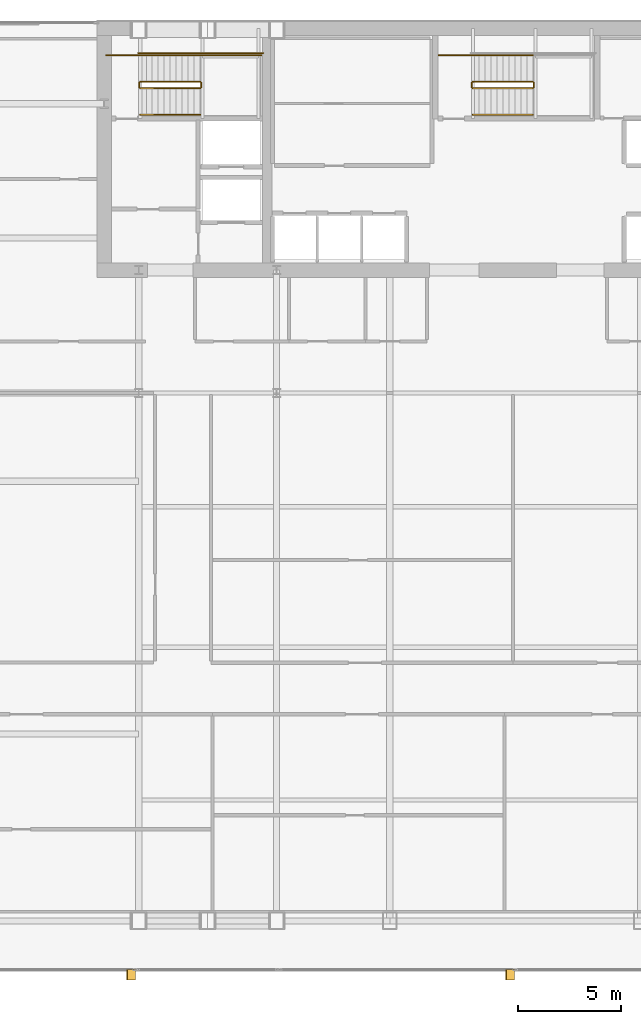
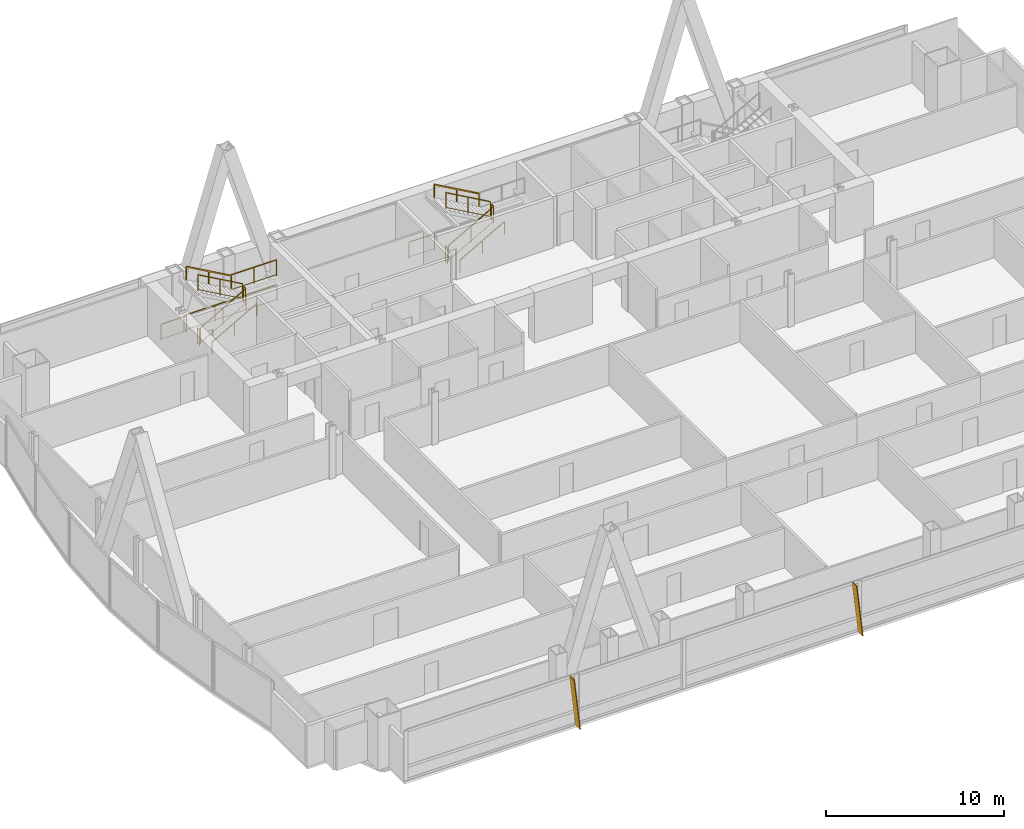
# One storey, part 31 of 33: 16 railings, 2 shading devices.
"""IFC4 building model written with IfcOpenShell, lengths in metres."""

from ifc_helpers import new_model, si_unit, direction, frame, origin, origin_2d, place, context, subcontext, project, spatial, polyline, rectangle, outline, extrude, material, layer, layer_set, type_object, element, save


model = new_model("IFC4")

# Units and contexts
model_context = context("Model", 3, precision=1e-05, world=origin(), true_north=direction((0.0, 1.0)))
body_context = subcontext(model_context, "Body", "Model", "MODEL_VIEW")
ifc_project = project(units=[si_unit("LENGTHUNIT", "METRE"), si_unit("AREAUNIT", "SQUARE_METRE"), si_unit("VOLUMEUNIT", "CUBIC_METRE"), si_unit("PLANEANGLEUNIT", "RADIAN"), si_unit("MASSUNIT", "GRAM", prefix="KILO")], contexts=[model_context])

# Site, building, storey
site_placement = place(None, origin())
site = spatial("IfcSite", under=ifc_project, at=site_placement, CompositionType="ELEMENT")
building_placement = place(site_placement, origin())
building = spatial("IfcBuilding", under=site, at=building_placement, Name="Khoronbel Lancet Exchange", CompositionType="ELEMENT")
storey_placement = place(building_placement, frame((0.0, 0.0, 118.199951171875)))
storey = spatial("IfcBuildingStorey", under=building, at=storey_placement, Name="L28", CompositionType="ELEMENT", Elevation=118.199951171875)

# Railings
ifc_material_1 = material(Name="Painted Steel Balustrade", Category="steel")
railing_type_1 = type_object("IfcRailingType", Name="RL-STG110", PredefinedType="GUARDRAIL", material=ifc_material_1)
railing_1_placement = place(storey_placement, frame((18.300048828125, 50.449951171875, 0.16357421875)))
element("IfcRailing", 1, at=railing_1_placement, inside=storey, type_object=railing_type_1, Name="L28 ST1 stair guard 1", PredefinedType="GUARDRAIL", context=body_context, shape_type="SweptSolid", body=[
    extrude(rectangle(XDim=0.048095703125, YDim=0.048095703125, at=origin_2d()), frame((0.0, 0.0, 1.09619140625), z_axis=(0.870897200241, 0.0, 0.491465224214), x_axis=(0.0, 1.0, 0.0)), (0.0, 0.0, 1.0), 3.329833984375),
    extrude(rectangle(XDim=0.02392578125, YDim=0.02392578125, at=origin_2d()), frame((0.0, 0.0, 0.080078125), z_axis=(0.870897200241, 0.0, 0.491465224214), x_axis=(0.0, 1.0, 0.0)), (0.0, 0.0, 1.0), 3.329833984375),
    extrude(rectangle(XDim=0.0419921875, YDim=0.0419921875, at=origin_2d()), origin(), (0.0, 0.0, 1.0), 1.072021484375),
    extrude(rectangle(XDim=0.0419921875, YDim=0.0419921875, at=origin_2d()), frame((1.449951171875, 0.0, 0.818359375)), (0.0, 0.0, 1.0), 1.072021484375),
    extrude(rectangle(XDim=0.0419921875, YDim=0.0419921875, at=origin_2d()), frame((2.89990234375, 0.0, 1.636474609375)), (0.0, 0.0, 1.0), 1.072021484375),
])
railing_2_placement = place(storey_placement, frame((21.25, 50.5, 1.800048828125)))
element("IfcRailing", 2, at=railing_2_placement, inside=storey, type_object=railing_type_1, Name="L28 ST1 stair guard 2", PredefinedType="GUARDRAIL", context=body_context, shape_type="SweptSolid", body=[
    extrude(rectangle(XDim=0.048095703125, YDim=0.048095703125, at=origin_2d()), frame((0.0, 0.0, 1.09619140625), z_axis=(0.0, 1.0, 0.0), x_axis=(-1.0, 0.0, 0.0)), (0.0, 0.0, 1.0), 0.219970703125),
    extrude(rectangle(XDim=0.02392578125, YDim=0.02392578125, at=origin_2d()), frame((0.0, 0.0, 0.080078125), z_axis=(0.0, 1.0, 0.0), x_axis=(-1.0, 0.0, 0.0)), (0.0, 0.0, 1.0), 0.219970703125),
    extrude(rectangle(XDim=0.0419921875, YDim=0.0419921875, at=origin_2d()), origin(), (0.0, 0.0, 1.0), 1.072021484375),
    extrude(rectangle(XDim=0.0419921875, YDim=0.0419921875, at=origin_2d()), frame((0.0, 0.219970703125, 0.0)), (0.0, 0.0, 1.0), 1.072021484375),
])
railing_3_placement = place(storey_placement, frame((21.199951171875, 52.050048828125, 1.800048828125)))
element("IfcRailing", 3, at=railing_3_placement, inside=storey, type_object=railing_type_1, Name="L28 ST1 stair guard 3", PredefinedType="GUARDRAIL", context=body_context, shape_type="SweptSolid", body=[
    extrude(rectangle(XDim=0.048095703125, YDim=0.048095703125, at=origin_2d()), frame((0.0, 0.0, 1.09619140625), z_axis=(1.0, 0.0, 0.0), x_axis=(0.0, 1.0, 0.0)), (0.0, 0.0, 1.0), 2.949951171875),
    extrude(rectangle(XDim=0.02392578125, YDim=0.02392578125, at=origin_2d()), frame((0.0, 0.0, 0.080078125), z_axis=(1.0, 0.0, 0.0), x_axis=(0.0, 1.0, 0.0)), (0.0, 0.0, 1.0), 2.949951171875),
    extrude(rectangle(XDim=0.0419921875, YDim=0.0419921875, at=origin_2d()), origin(), (0.0, 0.0, 1.0), 1.072021484375),
    extrude(rectangle(XDim=0.0419921875, YDim=0.0419921875, at=origin_2d()), frame((1.47509765625, 0.0, 0.0)), (0.0, 0.0, 1.0), 1.072021484375),
    extrude(rectangle(XDim=0.0419921875, YDim=0.0419921875, at=origin_2d()), frame((2.949951171875, 0.0, 0.0)), (0.0, 0.0, 1.0), 1.072021484375),
])
railing_4_placement = place(storey_placement, frame((21.199951171875, 50.77001953125, 1.963623046875)))
element("IfcRailing", 4, at=railing_4_placement, inside=storey, type_object=railing_type_1, Name="L28 ST1 stair guard 4", PredefinedType="GUARDRAIL", context=body_context, shape_type="SweptSolid", body=[
    extrude(rectangle(XDim=0.048095703125, YDim=0.048095703125, at=origin_2d()), frame((0.0, 0.0, 1.09619140625), z_axis=(-0.870897200241, 0.0, 0.491465224214), x_axis=(0.0, -1.0, 0.0)), (0.0, 0.0, 1.0), 3.329833984375),
    extrude(rectangle(XDim=0.02392578125, YDim=0.02392578125, at=origin_2d()), frame((0.0, 0.0, 0.080078125), z_axis=(-0.870897200241, 0.0, 0.491465224214), x_axis=(0.0, -1.0, 0.0)), (0.0, 0.0, 1.0), 3.329833984375),
    extrude(rectangle(XDim=0.0419921875, YDim=0.0419921875, at=origin_2d()), origin(), (0.0, 0.0, 1.0), 1.072021484375),
    extrude(rectangle(XDim=0.0419921875, YDim=0.0419921875, at=origin_2d()), frame((-1.449951171875, 0.0, 0.818359375)), (0.0, 0.0, 1.0), 1.072021484375),
    extrude(rectangle(XDim=0.0419921875, YDim=0.0419921875, at=origin_2d()), frame((-2.89990234375, 0.0, 1.636474609375)), (0.0, 0.0, 1.0), 1.072021484375),
])
railing_5_placement = place(storey_placement, frame((18.25, 50.5, 0.0)))
element("IfcRailing", 5, at=railing_5_placement, inside=storey, type_object=railing_type_1, Name="L28 ST1 stair guard 5", PredefinedType="GUARDRAIL", context=body_context, shape_type="SweptSolid", body=[
    extrude(rectangle(XDim=0.048095703125, YDim=0.048095703125, at=origin_2d()), frame((0.0, 0.0, 1.09619140625), z_axis=(0.0, 1.0, 0.0), x_axis=(-1.0, 0.0, 0.0)), (0.0, 0.0, 1.0), 0.219970703125),
    extrude(rectangle(XDim=0.02392578125, YDim=0.02392578125, at=origin_2d()), frame((0.0, 0.0, 0.080078125), z_axis=(0.0, 1.0, 0.0), x_axis=(-1.0, 0.0, 0.0)), (0.0, 0.0, 1.0), 0.219970703125),
    extrude(rectangle(XDim=0.0419921875, YDim=0.0419921875, at=origin_2d()), origin(), (0.0, 0.0, 1.0), 1.072021484375),
    extrude(rectangle(XDim=0.0419921875, YDim=0.0419921875, at=origin_2d()), frame((0.0, 0.219970703125, 0.0)), (0.0, 0.0, 1.0), 1.072021484375),
])
railing_6_placement = place(storey_placement, frame((16.64990234375, 52.050048828125, 0.0)))
element("IfcRailing", 6, at=railing_6_placement, inside=storey, type_object=railing_type_1, Name="L28 ST1 stair guard 6", PredefinedType="GUARDRAIL", context=body_context, shape_type="SweptSolid", body=[
    extrude(rectangle(XDim=0.048095703125, YDim=0.048095703125, at=origin_2d()), frame((0.0, 0.0, 1.09619140625), z_axis=(1.0, 0.0, 0.0), x_axis=(0.0, 1.0, 0.0)), (0.0, 0.0, 1.0), 1.650146484375),
    extrude(rectangle(XDim=0.02392578125, YDim=0.02392578125, at=origin_2d()), frame((0.0, 0.0, 0.080078125), z_axis=(1.0, 0.0, 0.0), x_axis=(0.0, 1.0, 0.0)), (0.0, 0.0, 1.0), 1.650146484375),
    extrude(rectangle(XDim=0.0419921875, YDim=0.0419921875, at=origin_2d()), origin(), (0.0, 0.0, 1.0), 1.072021484375),
    extrude(rectangle(XDim=0.0419921875, YDim=0.0419921875, at=origin_2d()), frame((1.650146484375, 0.0, 0.0)), (0.0, 0.0, 1.0), 1.072021484375),
])
railing_7_placement = place(storey_placement, frame((18.199951171875, 52.14990234375, 0.0)))
element("IfcRailing", 7, at=railing_7_placement, inside=storey, type_object=railing_type_1, Name="L28 ST1 stair guard 7", PredefinedType="GUARDRAIL", context=body_context, shape_type="SweptSolid", body=[
    extrude(rectangle(XDim=0.048095703125, YDim=0.048095703125, at=origin_2d()), frame((0.0, 0.0, 1.09619140625), z_axis=(1.0, 0.0, 0.0), x_axis=(0.0, 1.0, 0.0)), (0.0, 0.0, 1.0), 6.050048828125),
    extrude(rectangle(XDim=0.02392578125, YDim=0.02392578125, at=origin_2d()), frame((0.0, 0.0, 0.080078125), z_axis=(1.0, 0.0, 0.0), x_axis=(0.0, 1.0, 0.0)), (0.0, 0.0, 1.0), 6.050048828125),
    extrude(rectangle(XDim=0.0419921875, YDim=0.0419921875, at=origin_2d()), origin(), (0.0, 0.0, 1.0), 1.072021484375),
    extrude(rectangle(XDim=0.0419921875, YDim=0.0419921875, at=origin_2d()), frame((2.0166015625, 0.0, 0.0)), (0.0, 0.0, 1.0), 1.072021484375),
    extrude(rectangle(XDim=0.0419921875, YDim=0.0419921875, at=origin_2d()), frame((4.033447265625, 0.0, 0.0)), (0.0, 0.0, 1.0), 1.072021484375),
    extrude(rectangle(XDim=0.0419921875, YDim=0.0419921875, at=origin_2d()), frame((6.050048828125, 0.0, 0.0)), (0.0, 0.0, 1.0), 1.072021484375),
])
railing_8_placement = place(storey_placement, frame((34.39990234375, 50.449951171875, 0.16357421875)))
element("IfcRailing", 8, at=railing_8_placement, inside=storey, type_object=railing_type_1, Name="L28 ST3 stair guard 1", PredefinedType="GUARDRAIL", context=body_context, shape_type="SweptSolid", body=[
    extrude(rectangle(XDim=0.048095703125, YDim=0.048095703125, at=origin_2d()), frame((0.0, 0.0, 1.09619140625), z_axis=(0.870914908162, 0.0, 0.491433843708), x_axis=(0.0, 1.0, 0.0)), (0.0, 0.0, 1.0), 3.330078125),
    extrude(rectangle(XDim=0.02392578125, YDim=0.02392578125, at=origin_2d()), frame((0.0, 0.0, 0.080078125), z_axis=(0.870914908162, 0.0, 0.491433843708), x_axis=(0.0, 1.0, 0.0)), (0.0, 0.0, 1.0), 3.330078125),
    extrude(rectangle(XDim=0.0419921875, YDim=0.0419921875, at=origin_2d()), origin(), (0.0, 0.0, 1.0), 1.072021484375),
    extrude(rectangle(XDim=0.0419921875, YDim=0.0419921875, at=origin_2d()), frame((1.4501953125, 0.0, 0.818359375)), (0.0, 0.0, 1.0), 1.072021484375),
    extrude(rectangle(XDim=0.0419921875, YDim=0.0419921875, at=origin_2d()), frame((2.900146484375, 0.0, 1.636474609375)), (0.0, 0.0, 1.0), 1.072021484375),
])
railing_9_placement = place(storey_placement, frame((37.35009765625, 50.5, 1.800048828125)))
element("IfcRailing", 9, at=railing_9_placement, inside=storey, type_object=railing_type_1, Name="L28 ST3 stair guard 2", PredefinedType="GUARDRAIL", context=body_context, shape_type="SweptSolid", body=[
    extrude(rectangle(XDim=0.048095703125, YDim=0.048095703125, at=origin_2d()), frame((0.0, 0.0, 1.09619140625), z_axis=(0.0, 1.0, 0.0), x_axis=(-1.0, 0.0, 0.0)), (0.0, 0.0, 1.0), 0.219970703125),
    extrude(rectangle(XDim=0.02392578125, YDim=0.02392578125, at=origin_2d()), frame((0.0, 0.0, 0.080078125), z_axis=(0.0, 1.0, 0.0), x_axis=(-1.0, 0.0, 0.0)), (0.0, 0.0, 1.0), 0.219970703125),
    extrude(rectangle(XDim=0.0419921875, YDim=0.0419921875, at=origin_2d()), origin(), (0.0, 0.0, 1.0), 1.072021484375),
    extrude(rectangle(XDim=0.0419921875, YDim=0.0419921875, at=origin_2d()), frame((0.0, 0.219970703125, 0.0)), (0.0, 0.0, 1.0), 1.072021484375),
])
railing_10_placement = place(storey_placement, frame((37.300048828125, 50.77001953125, 1.963623046875)))
element("IfcRailing", 10, at=railing_10_placement, inside=storey, type_object=railing_type_1, Name="L28 ST3 stair guard 4", PredefinedType="GUARDRAIL", context=body_context, shape_type="SweptSolid", body=[
    extrude(rectangle(XDim=0.048095703125, YDim=0.048095703125, at=origin_2d()), frame((0.0, 0.0, 1.09619140625), z_axis=(-0.870914908162, 0.0, 0.491433843708), x_axis=(0.0, -1.0, 0.0)), (0.0, 0.0, 1.0), 3.330078125),
    extrude(rectangle(XDim=0.02392578125, YDim=0.02392578125, at=origin_2d()), frame((0.0, 0.0, 0.080078125), z_axis=(-0.870914908162, 0.0, 0.491433843708), x_axis=(0.0, -1.0, 0.0)), (0.0, 0.0, 1.0), 3.330078125),
    extrude(rectangle(XDim=0.0419921875, YDim=0.0419921875, at=origin_2d()), origin(), (0.0, 0.0, 1.0), 1.072021484375),
    extrude(rectangle(XDim=0.0419921875, YDim=0.0419921875, at=origin_2d()), frame((-1.4501953125, 0.0, 0.818359375)), (0.0, 0.0, 1.0), 1.072021484375),
    extrude(rectangle(XDim=0.0419921875, YDim=0.0419921875, at=origin_2d()), frame((-2.900146484375, 0.0, 1.636474609375)), (0.0, 0.0, 1.0), 1.072021484375),
])
railing_11_placement = place(storey_placement, frame((34.35009765625, 50.5, 0.0)))
element("IfcRailing", 11, at=railing_11_placement, inside=storey, type_object=railing_type_1, Name="L28 ST3 stair guard 5", PredefinedType="GUARDRAIL", context=body_context, shape_type="SweptSolid", body=[
    extrude(rectangle(XDim=0.048095703125, YDim=0.048095703125, at=origin_2d()), frame((0.0, 0.0, 1.09619140625), z_axis=(0.0, 1.0, 0.0), x_axis=(-1.0, 0.0, 0.0)), (0.0, 0.0, 1.0), 0.219970703125),
    extrude(rectangle(XDim=0.02392578125, YDim=0.02392578125, at=origin_2d()), frame((0.0, 0.0, 0.080078125), z_axis=(0.0, 1.0, 0.0), x_axis=(-1.0, 0.0, 0.0)), (0.0, 0.0, 1.0), 0.219970703125),
    extrude(rectangle(XDim=0.0419921875, YDim=0.0419921875, at=origin_2d()), origin(), (0.0, 0.0, 1.0), 1.072021484375),
    extrude(rectangle(XDim=0.0419921875, YDim=0.0419921875, at=origin_2d()), frame((0.0, 0.219970703125, 0.0)), (0.0, 0.0, 1.0), 1.072021484375),
])
railing_12_placement = place(storey_placement, frame((32.75, 52.050048828125, 0.0)))
element("IfcRailing", 12, at=railing_12_placement, inside=storey, type_object=railing_type_1, Name="L28 ST3 stair guard 6", PredefinedType="GUARDRAIL", context=body_context, shape_type="SweptSolid", body=[
    extrude(rectangle(XDim=0.048095703125, YDim=0.048095703125, at=origin_2d()), frame((0.0, 0.0, 1.09619140625), z_axis=(1.0, 0.0, 0.0), x_axis=(0.0, 1.0, 0.0)), (0.0, 0.0, 1.0), 1.64990234375),
    extrude(rectangle(XDim=0.02392578125, YDim=0.02392578125, at=origin_2d()), frame((0.0, 0.0, 0.080078125), z_axis=(1.0, 0.0, 0.0), x_axis=(0.0, 1.0, 0.0)), (0.0, 0.0, 1.0), 1.64990234375),
    extrude(rectangle(XDim=0.0419921875, YDim=0.0419921875, at=origin_2d()), origin(), (0.0, 0.0, 1.0), 1.072021484375),
    extrude(rectangle(XDim=0.0419921875, YDim=0.0419921875, at=origin_2d()), frame((1.64990234375, 0.0, 0.0)), (0.0, 0.0, 1.0), 1.072021484375),
])
ifc_material_2 = material(Name="Brushed Stainless Steel 316", Category="steel")
railing_type_2 = type_object("IfcRailingType", Name="RL-STH92", PredefinedType="HANDRAIL", material=ifc_material_2)
railing_13_placement = place(storey_placement, frame((18.300048828125, 49.169921875, 0.16357421875)))
element("IfcRailing", 13, at=railing_13_placement, inside=storey, type_object=railing_type_2, Name="L28 ST1 stair handrail 1", PredefinedType="HANDRAIL", context=body_context, shape_type="SweptSolid", body=[
    extrude(rectangle(XDim=0.048095703125, YDim=0.048095703125, at=origin_2d()), frame((0.0, 0.0, 0.8759765625), z_axis=(0.870897200241, 0.0, 0.491465224214), x_axis=(0.0, 1.0, 0.0)), (0.0, 0.0, 1.0), 3.329833984375),
    extrude(rectangle(XDim=0.0419921875, YDim=0.0419921875, at=origin_2d()), origin(), (0.0, 0.0, 1.0), 0.851806640625),
    extrude(rectangle(XDim=0.0419921875, YDim=0.0419921875, at=origin_2d()), frame((1.449951171875, 0.0, 0.818359375)), (0.0, 0.0, 1.0), 0.851806640625),
    extrude(rectangle(XDim=0.0419921875, YDim=0.0419921875, at=origin_2d()), frame((2.89990234375, 0.0, 1.636474609375)), (0.0, 0.0, 1.0), 0.851806640625),
])
railing_14_placement = place(storey_placement, frame((21.199951171875, 52.050048828125, 1.963623046875)))
element("IfcRailing", 14, at=railing_14_placement, inside=storey, type_object=railing_type_2, Name="L28 ST1 stair handrail 2", PredefinedType="HANDRAIL", context=body_context, shape_type="SweptSolid", body=[
    extrude(rectangle(XDim=0.048095703125, YDim=0.048095703125, at=origin_2d()), frame((0.0, 0.0, 0.8759765625), z_axis=(-0.870897200241, 0.0, 0.491465224214), x_axis=(0.0, -1.0, 0.0)), (0.0, 0.0, 1.0), 3.329833984375),
    extrude(rectangle(XDim=0.0419921875, YDim=0.0419921875, at=origin_2d()), origin(), (0.0, 0.0, 1.0), 0.851806640625),
    extrude(rectangle(XDim=0.0419921875, YDim=0.0419921875, at=origin_2d()), frame((-1.449951171875, 0.0, 0.818359375)), (0.0, 0.0, 1.0), 0.851806640625),
    extrude(rectangle(XDim=0.0419921875, YDim=0.0419921875, at=origin_2d()), frame((-2.89990234375, 0.0, 1.636474609375)), (0.0, 0.0, 1.0), 0.851806640625),
])
railing_15_placement = place(storey_placement, frame((34.39990234375, 49.169921875, 0.16357421875)))
element("IfcRailing", 15, at=railing_15_placement, inside=storey, type_object=railing_type_2, Name="L28 ST3 stair handrail 1", PredefinedType="HANDRAIL", context=body_context, shape_type="SweptSolid", body=[
    extrude(rectangle(XDim=0.048095703125, YDim=0.048095703125, at=origin_2d()), frame((0.0, 0.0, 0.8759765625), z_axis=(0.870914908162, 0.0, 0.491433843708), x_axis=(0.0, 1.0, 0.0)), (0.0, 0.0, 1.0), 3.330078125),
    extrude(rectangle(XDim=0.0419921875, YDim=0.0419921875, at=origin_2d()), origin(), (0.0, 0.0, 1.0), 0.851806640625),
    extrude(rectangle(XDim=0.0419921875, YDim=0.0419921875, at=origin_2d()), frame((1.4501953125, 0.0, 0.818359375)), (0.0, 0.0, 1.0), 0.851806640625),
    extrude(rectangle(XDim=0.0419921875, YDim=0.0419921875, at=origin_2d()), frame((2.900146484375, 0.0, 1.636474609375)), (0.0, 0.0, 1.0), 0.851806640625),
])
railing_16_placement = place(storey_placement, frame((37.300048828125, 52.050048828125, 1.963623046875)))
element("IfcRailing", 16, at=railing_16_placement, inside=storey, type_object=railing_type_2, Name="L28 ST3 stair handrail 2", PredefinedType="HANDRAIL", context=body_context, shape_type="SweptSolid", body=[
    extrude(rectangle(XDim=0.048095703125, YDim=0.048095703125, at=origin_2d()), frame((0.0, 0.0, 0.8759765625), z_axis=(-0.870914908162, 0.0, 0.491433843708), x_axis=(0.0, -1.0, 0.0)), (0.0, 0.0, 1.0), 3.330078125),
    extrude(rectangle(XDim=0.0419921875, YDim=0.0419921875, at=origin_2d()), origin(), (0.0, 0.0, 1.0), 0.851806640625),
    extrude(rectangle(XDim=0.0419921875, YDim=0.0419921875, at=origin_2d()), frame((-1.4501953125, 0.0, 0.818359375)), (0.0, 0.0, 1.0), 0.851806640625),
    extrude(rectangle(XDim=0.0419921875, YDim=0.0419921875, at=origin_2d()), frame((-2.900146484375, 0.0, 1.636474609375)), (0.0, 0.0, 1.0), 0.851806640625),
])

# Shading devices
ifc_material_3 = material(Name="Bronze-Anodised Aluminium 6063-T6", Category="aluminium")
ifc_layer = layer(ifc_material_3, 0.054931640625, Name="Bronze-Anodised Aluminium 6063-T6")
ifc_layer_set = layer_set([ifc_layer], Name="Bronze-Anodised Aluminium 6063-T6")
shading_device_type = type_object("IfcShadingDeviceType", Name="SHD-FIN1", PredefinedType="USERDEFINED", material=ifc_layer_set)
for number, where, z_axis, x_axis, name in (
    (17, (18.072509765625, 7.81005859375, -0.079833984375), (0.99389951861, 0.0, 0.110289378034), (0.0, -1.0, 0.0), "Slanted bronze solar fin CW-L28-SWV-1"),
    (18, (36.422607421875, 7.81005859375, -0.079833984375), (0.99389951861, 0.0, 0.110289378034), (0.0, -1.0, 0.0), "Slanted bronze solar fin CW-L28-SCV-1"),
):
    element("IfcShadingDevice", number, at=place(storey_placement, frame(where, z_axis=z_axis, x_axis=x_axis)), inside=storey, type_object=shading_device_type, Name=name, ObjectType="FIN", PredefinedType="USERDEFINED", context=body_context, shape_type="SweptSolid", body=[
        extrude(outline(polyline([(0.0, 0.0), (0.52001953125, 0.0), (0.52001953125, -3.58154296875), (0.0, -3.58154296875), (0.0, 0.0)])), origin(), (0.0, 0.0, -1.0), 0.054931640625),
    ])

save(model, "model.ifc")
